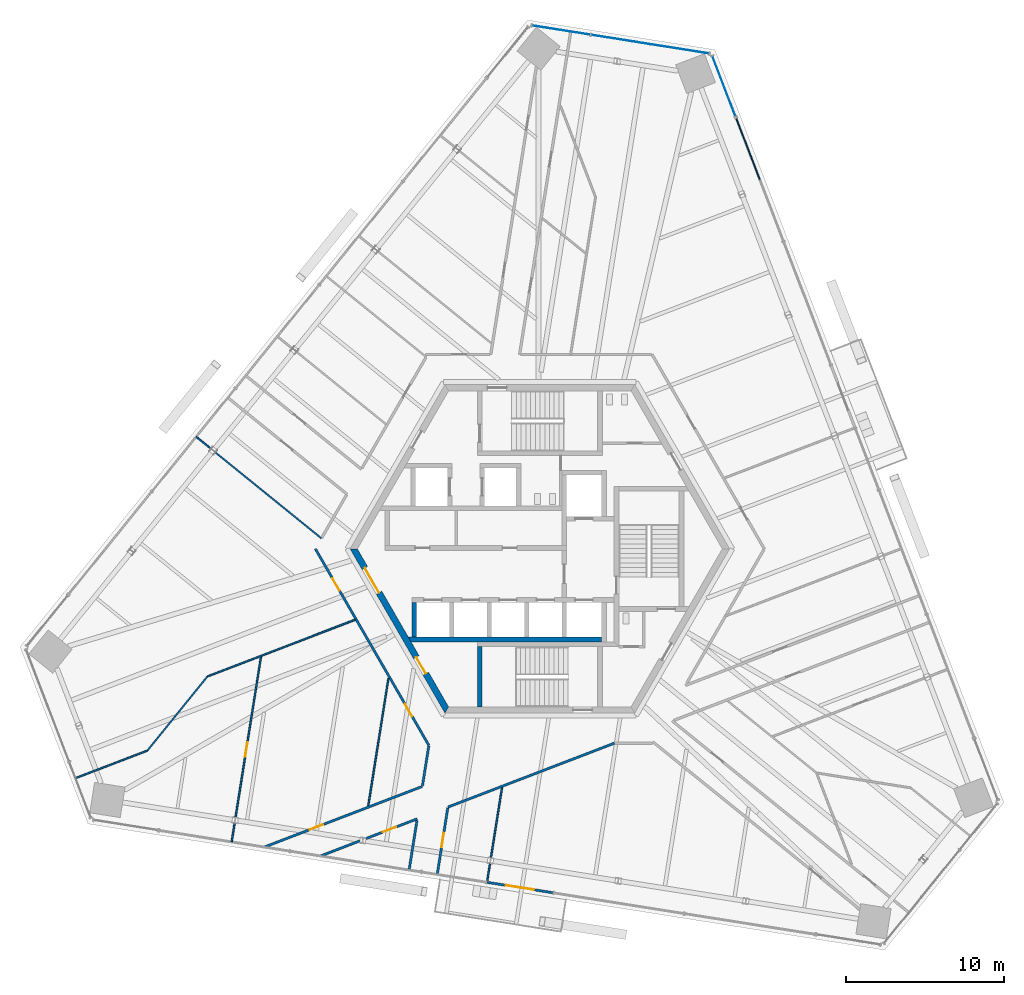
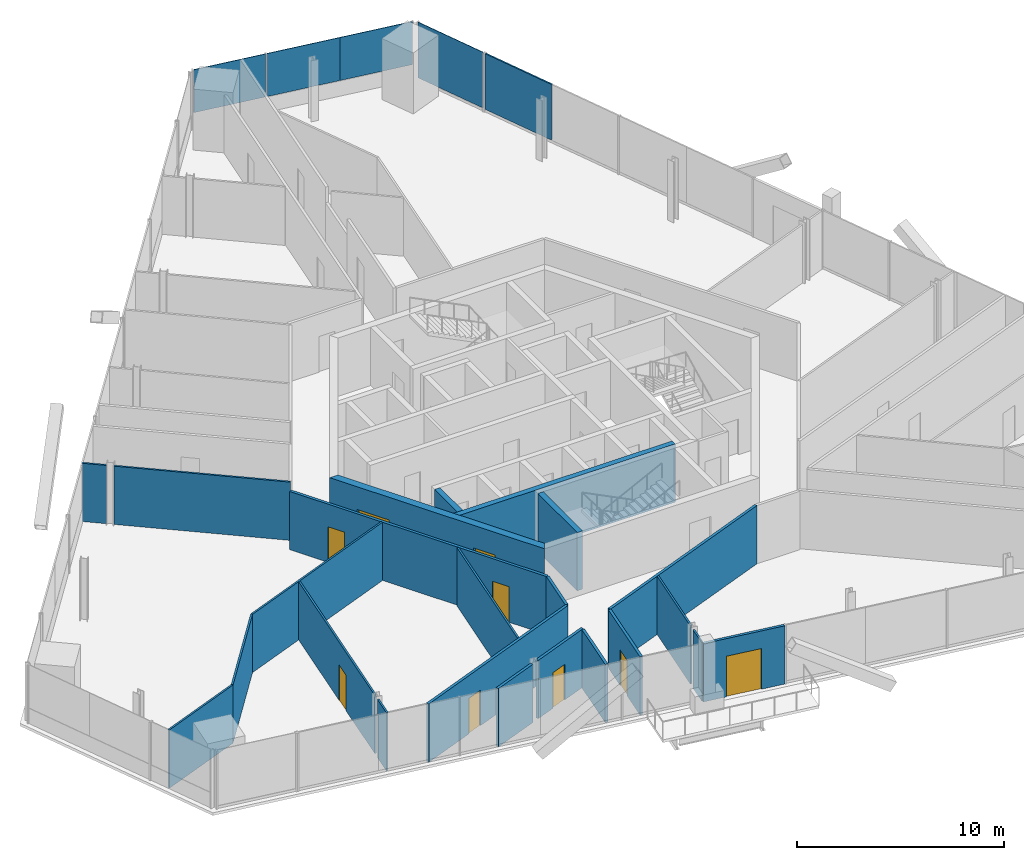
# One storey, part 11 of 19: 23 walls, 9 doors, 5 plates, 9 openings, 3 elements without a shape of their own.
"""IFC4 building model written with IfcOpenShell, lengths in metres."""

from ifc_helpers import new_model, si_unit, direction, frame, frame_2d, origin, origin_2d, place, context, subcontext, project, spatial, polyline, rectangle, outline, extrude, source, transform, mapped, material, layer, layer_set, type_object, element, fill, aggregate, save


model = new_model("IFC4")

# Units and contexts
model_context = context("Model", 3, precision=1e-05, world=origin(), true_north=direction((0.0, 1.0)))
body_context = subcontext(model_context, "Body", "Model", "MODEL_VIEW")
ifc_project = project(units=[si_unit("LENGTHUNIT", "METRE"), si_unit("AREAUNIT", "SQUARE_METRE"), si_unit("VOLUMEUNIT", "CUBIC_METRE"), si_unit("PLANEANGLEUNIT", "RADIAN"), si_unit("MASSUNIT", "GRAM", prefix="KILO")], contexts=[model_context])

# Site, building, storey
site_placement = place(None, origin())
site = spatial("IfcSite", under=ifc_project, at=site_placement, CompositionType="ELEMENT")
building_placement = place(site_placement, origin())
building = spatial("IfcBuilding", under=site, at=building_placement, Name="Triune Harvest Tower", CompositionType="ELEMENT")
storey_placement = place(building_placement, frame((0.0, 0.0, 149.699951171875)))
storey = spatial("IfcBuildingStorey", under=building, at=storey_placement, Name="L38", CompositionType="ELEMENT", Elevation=149.699951171875)

# Curtain wall, plates
ifc_material_1 = material(Name="Aluminium bronze anodised", Category="aluminium")
curtain_wall_type_1 = type_object("IfcCurtainWallType", Name="CW-1 Tower stick curtain wall", PredefinedType="NOTDEFINED", material=ifc_material_1)
curtain_wall_1_placement = place(storey_placement, origin())
curtain_wall_1 = element("IfcCurtainWall", 1, at=curtain_wall_1_placement, inside=storey, type_object=curtain_wall_type_1, Name="CW-1 B4-F2 L38 run 1")
ifc_material_2 = material(Name="Glass", Category="glass")
ifc_layer_1 = layer(ifc_material_2, 0.031982421875)
ifc_layer_set_1 = layer_set([ifc_layer_1], Name="Glass")
plate_type_1 = type_object("IfcPlateType", Name="GL-1 panel 32", PredefinedType="CURTAIN_PANEL", material=ifc_layer_set_1)
shared_shape_1 = source(origin(), body_context, "Body", "SweptSolid", [
    extrude(rectangle(XDim=3.74951171875, YDim=0.031982421875, at=origin_2d()), origin(), (0.0, 0.0, 1.0), 2.5400390625),
])
plate_1_placement = place(storey_placement, frame((8.841552734375, 31.614990234375, 0.900146484375), z_axis=(0.0, 0.0, 1.0), x_axis=(-0.987688615663, 0.156432728322, 0.0)))
plate_1 = element("IfcPlate", 2, at=plate_1_placement, type_object=plate_type_1, Name="CW-1 panel B4-F2 1.1", PredefinedType="CURTAIN_PANEL", context=body_context, shape_type="MappedRepresentation", body=[
    mapped(shared_shape_1, transform((0.0, 0.0, 0.0), scale=1.0)),
])
shared_shape_2 = source(origin(), body_context, "Body", "SweptSolid", [
    extrude(rectangle(XDim=3.787109375, YDim=0.031982421875, at=origin_2d()), origin(), (0.0, 0.0, 1.0), 2.5400390625),
])
plate_2_placement = place(storey_placement, frame((5.11962890625, 32.20458984375, 0.900146484375), z_axis=(0.0, 0.0, 1.0), x_axis=(-0.987688615663, 0.156432728322, 0.0)))
plate_2 = element("IfcPlate", 3, at=plate_2_placement, type_object=plate_type_1, Name="CW-1 panel B4-F2 1.2", PredefinedType="CURTAIN_PANEL", context=body_context, shape_type="MappedRepresentation", body=[
    mapped(shared_shape_2, transform((0.0, 0.0, 0.0), scale=1.0)),
])
shared_shape_3 = source(origin(), body_context, "Body", "SweptSolid", [
    extrude(rectangle(XDim=3.7119140625, YDim=0.031982421875, at=origin_2d()), origin(), (0.0, 0.0, 1.0), 2.5400390625),
])
plate_3_placement = place(storey_placement, frame((1.34228515625, 32.802734375, 0.900146484375), z_axis=(0.0, 0.0, 1.0), x_axis=(-0.987688615663, 0.156432728322, 0.0)))
plate_3 = element("IfcPlate", 4, at=plate_3_placement, type_object=plate_type_1, Name="CW-1 panel B4-F2 1.3", PredefinedType="CURTAIN_PANEL", context=body_context, shape_type="MappedRepresentation", body=[
    mapped(shared_shape_3, transform((0.0, 0.0, 0.0), scale=1.0)),
])
aggregate(curtain_wall_1, [plate_1, plate_2, plate_3])

# Curtain wall, plate
ifc_material_3 = material(Name="Aluminium bronze anodised", Category="aluminium")
curtain_wall_type_2 = type_object("IfcCurtainWallType", Name="CW-10 Balcony window wall with insulated spandrel infill", PredefinedType="NOTDEFINED", material=ifc_material_3)
curtain_wall_2_placement = place(storey_placement, origin())
curtain_wall_2 = element("IfcCurtainWall", 5, at=curtain_wall_2_placement, inside=storey, type_object=curtain_wall_type_2, Name="CW-10 B4-F1 L38 run 2")
ifc_material_4 = material(Name="Insulated spandrel panel, bronze aluminium pan", Category="aluminium")
ifc_layer_2 = layer(ifc_material_4, 0.080078125)
ifc_layer_set_2 = layer_set([ifc_layer_2], Name="Insulated spandrel panel, bronze aluminium pan")
plate_type_2 = type_object("IfcPlateType", Name="SP-1 insulated spandrel panel 80", PredefinedType="CURTAIN_PANEL", material=ifc_layer_set_2)
shared_shape_4 = source(origin(), body_context, "Body", "SweptSolid", [
    extrude(rectangle(XDim=4.128173828125, YDim=0.080078125, at=origin_2d()), origin(), (0.0, 0.0, 1.0), 3.2900390625),
])
plate_4_placement = place(storey_placement, frame((13.161376953125, 25.291015625, 0.150146484375), z_axis=(0.0, 0.0, 1.0), x_axis=(-0.358371012467, 0.933579250746, 0.0)))
plate_4 = element("IfcPlate", 6, at=plate_4_placement, type_object=plate_type_2, Name="CW-10 panel B4-F1 2.4", PredefinedType="CURTAIN_PANEL", context=body_context, shape_type="MappedRepresentation", body=[
    mapped(shared_shape_4, transform((0.0, 0.0, 0.0), scale=1.0)),
])
aggregate(curtain_wall_2, [plate_4])

ifc_material_5 = material(Name="Aluminium bronze anodised", Category="aluminium")
curtain_wall_type_3 = type_object("IfcCurtainWallType", Name="CW-6 Balcony window wall", PredefinedType="NOTDEFINED", material=ifc_material_5)
curtain_wall_3_placement = place(storey_placement, origin())
curtain_wall_3 = element("IfcCurtainWall", 7, at=curtain_wall_3_placement, inside=storey, type_object=curtain_wall_type_3, Name="CW-6 B4-F1 L38 run 1002")
ifc_material_6 = material(Name="Glass", Category="glass")
ifc_layer_3 = layer(ifc_material_6, 0.030029296875)
ifc_layer_set_3 = layer_set([ifc_layer_3], Name="Glass")
plate_type_3 = type_object("IfcPlateType", Name="GL-6 panel 30", PredefinedType="CURTAIN_PANEL", material=ifc_layer_set_3)
shared_shape_5 = source(origin(), body_context, "Body", "SweptSolid", [
    extrude(rectangle(XDim=4.05322265625, YDim=0.030029296875, at=origin_2d()), origin(), (0.0, 0.0, 1.0), 3.2900390625),
])
plate_5_placement = place(storey_placement, frame((11.6416015625, 29.25, 0.150146484375), z_axis=(0.0, 0.0, 1.0), x_axis=(-0.358362311569, 0.933582590694, 0.0)))
plate_5 = element("IfcPlate", 8, at=plate_5_placement, type_object=plate_type_3, Name="CW-6 panel B4-F1 1002.1", PredefinedType="CURTAIN_PANEL", context=body_context, shape_type="MappedRepresentation", body=[
    mapped(shared_shape_5, transform((0.0, 0.0, 0.0), scale=1.0)),
])
aggregate(curtain_wall_3, [plate_5])

# Walls
ifc_material_7 = material(Name="Gypsum board on steel studs", Category="steel")
ifc_layer_4 = layer(ifc_material_7, 0.10009765625)
ifc_layer_set_4 = layer_set([ifc_layer_4], Name="Gypsum board on steel studs")
wall_type_1 = type_object("IfcWallType", Name="Partition 100 mm", PredefinedType="PARTITIONING", material=ifc_layer_set_4)
wall_1_placement = place(storey_placement, frame((-29.362548828125, -14.500732421875, 0.0), z_axis=(0.0, 0.0, 1.0), x_axis=(0.933592165227, 0.358337367612, 0.0)))
element("IfcWall", 9, at=wall_1_placement, inside=storey, type_object=wall_type_1, Name="Partition L38 035", PredefinedType="PARTITIONING", context=body_context, shape_type="SweptSolid", body=[
    extrude(rectangle(XDim=4.8701171875, YDim=0.10009765625, at=frame_2d((2.43505859375, 0.0))), origin(), (0.0, 0.0, 1.0), 3.43994140625),
])
wall_2_placement = place(storey_placement, frame((-24.81591796875, -12.755615234375, 0.0), z_axis=(0.0, 0.0, 1.0), x_axis=(0.629303216605, 0.777159868734, 0.0)))
element("IfcWall", 10, at=wall_2_placement, inside=storey, type_object=wall_type_1, Name="Partition L38 039", PredefinedType="PARTITIONING", context=body_context, shape_type="SweptSolid", body=[
    extrude(rectangle(XDim=6.020263671875, YDim=0.10009765625, at=frame_2d((3.01025390625, 0.0))), origin(), (0.0, 0.0, 1.0), 3.43994140625),
])

# Wall, openings, doors
ifc_material_8 = material(Name="Concrete 70 MPa", Category="concrete")
ifc_layer_5 = layer(ifc_material_8, 0.39990234375)
ifc_layer_set_5 = layer_set([ifc_layer_5], Name="Concrete 70 MPa")
wall_type_2 = type_object("IfcWallType", Name="Core wall 400", PredefinedType="SHEAR", material=ifc_layer_set_5)
shared_shape_6 = source(origin(), body_context, "Body", "SweptSolid", [
    extrude(outline(polyline([(-0.115478515625, -0.199951171875), (11.884521484375, -0.199951171875), (11.653564453125, 0.199951171875), (0.115478515625, 0.199951171875), (-0.115478515625, -0.199951171875)])), origin(), (0.0, 0.0, 1.0), 3.43994140625),
])
wall_3_placement = place(storey_placement, frame((-11.76904296875, 0.0, 0.0), z_axis=(0.0, 0.0, 1.0), x_axis=(0.499996592174, -0.866027371285, 0.0)))
wall_3 = element("IfcWall", 11, at=wall_3_placement, inside=storey, type_object=wall_type_2, Name="Hexagon 3 wall", PredefinedType="SHEAR", context=body_context, shape_type="MappedRepresentation", body=[
    mapped(shared_shape_6, transform((0.0, 0.0, 0.0), scale=1.0)),
])
opening_1_placement = place(wall_3_placement, frame((1.404541015625, 0.0, 0.0)))
opening_1 = element("IfcOpeningElement", 12, at=opening_1_placement, cuts=wall_3, Name="Opening CD-LS", PredefinedType="OPENING", context=body_context, shape_type="SweptSolid", body=[
    extrude(rectangle(XDim=1.800048828125, YDim=2.10009765625, at=frame_2d((0.89990234375, 1.050048828125))), frame((0.0, 0.2099609375, 0.0), z_axis=(0.0, -1.0, 0.0), x_axis=(1.0, 0.0, 0.0)), (0.0, 0.0, 1.0), 0.419921875),
])
opening_2_placement = place(wall_3_placement, frame((7.91455078125, 0.0, 0.0)))
opening_2 = element("IfcOpeningElement", 13, at=opening_2_placement, cuts=wall_3, Name="Opening CD-SWP", PredefinedType="OPENING", context=body_context, shape_type="SweptSolid", body=[
    extrude(rectangle(XDim=1.199951171875, YDim=2.10009765625, at=frame_2d((0.60009765625, 1.050048828125))), frame((0.0, 0.2099609375, 0.0), z_axis=(0.0, -1.0, 0.0), x_axis=(1.0, 0.0, 0.0)), (0.0, 0.0, 1.0), 0.419921875),
])
ifc_material_9 = material(Name="Steel S235", Category="steel")
door_type_1 = type_object("IfcDoorType", Name="Lobby door 1800 FD120", OperationType="DOUBLE_DOOR_DOUBLE_SWING", PredefinedType="DOOR", material=ifc_material_9)
door_1_placement = place(opening_1_placement, frame((1.800048828125, 0.0, 0.0), z_axis=(0.0, 0.0, 1.0), x_axis=(-1.0, 0.0, 0.0)))
door_1 = element("IfcDoor", 14, at=door_1_placement, inside=storey, type_object=door_type_1, Name="Door CD-LS", OperationType="DOUBLE_DOOR_DOUBLE_SWING", OverallHeight=2.10009765625, OverallWidth=1.800048828125, PredefinedType="DOOR", context=body_context, shape_type="SweptSolid", body=[
    extrude(rectangle(XDim=1.800048828125, YDim=2.10009765625, at=frame_2d((0.89990234375, 1.050048828125))), frame((0.0, 0.02490234375, 0.0), z_axis=(0.0, -1.0, 0.0), x_axis=(1.0, 0.0, 0.0)), (0.0, 0.0, 1.0), 0.050048828125),
])
fill(opening_1, door_1)
ifc_material_10 = material(Name="Steel S235", Category="steel")
door_type_2 = type_object("IfcDoorType", Name="Service door 1200 FD120", OperationType="SINGLE_SWING_LEFT", PredefinedType="DOOR", material=ifc_material_10)
door_2_placement = place(opening_2_placement, frame((1.199951171875, 0.0, 0.0), z_axis=(0.0, 0.0, 1.0), x_axis=(-1.0, 0.0, 0.0)))
door_2 = element("IfcDoor", 15, at=door_2_placement, inside=storey, type_object=door_type_2, Name="Door CD-SWP", OperationType="SINGLE_SWING_RIGHT", OverallHeight=2.10009765625, OverallWidth=1.199951171875, PredefinedType="DOOR", context=body_context, shape_type="SweptSolid", body=[
    extrude(rectangle(XDim=1.199951171875, YDim=2.10009765625, at=frame_2d((0.60009765625, 1.050048828125))), frame((0.0, 0.02490234375, 0.0), z_axis=(0.0, -1.0, 0.0), x_axis=(1.0, 0.0, 0.0)), (0.0, 0.0, 1.0), 0.050048828125),
])
fill(opening_2, door_2)

# Walls
ifc_material_11 = material(Name="Concrete 70 MPa", Category="concrete")
ifc_layer_6 = layer(ifc_material_11, 0.300048828125)
ifc_layer_set_6 = layer_set([ifc_layer_6], Name="Concrete 70 MPa")
wall_type_3 = type_object("IfcWallType", Name="Core wall 300", PredefinedType="SHEAR", material=ifc_layer_set_6)
shared_shape_7 = source(origin(), body_context, "Body", "SweptSolid", [
    extrude(outline(polyline([(12.0, -0.14990234375), (-0.039794921875, -0.14990234375), (-0.212890625, 0.14990234375), (12.0, 0.14990234375), (12.0, -0.14990234375)])), origin(), (0.0, 0.0, 1.0), 3.43994140625),
])
wall_4_placement = place(storey_placement, frame((-8.10009765625, -5.739990234375, 0.0), z_axis=(0.0, 0.0, 1.0), x_axis=(1.0, 0.0, 0.0)))
element("IfcWall", 16, at=wall_4_placement, inside=storey, type_object=wall_type_3, Name="South back wall", PredefinedType="SHEAR", context=body_context, shape_type="MappedRepresentation", body=[
    mapped(shared_shape_7, transform((0.0, 0.0, 0.0), scale=1.0)),
])
shared_shape_8 = source(origin(), body_context, "Body", "SweptSolid", [
    extrude(rectangle(XDim=2.2001953125, YDim=0.300048828125, at=frame_2d((1.10009765625, 0.0))), origin(), (0.0, 0.0, 1.0), 3.43994140625),
])
wall_5_placement = place(storey_placement, frame((-7.949951171875, -5.590087890625, 0.0), z_axis=(0.0, 0.0, 1.0), x_axis=(0.0, 1.0, 0.0)))
element("IfcWall", 17, at=wall_5_placement, inside=storey, type_object=wall_type_3, Name="South end west wall", PredefinedType="SHEAR", context=body_context, shape_type="MappedRepresentation", body=[
    mapped(shared_shape_8, transform((0.0, 0.0, 0.0), scale=1.0)),
])
shared_shape_9 = source(origin(), body_context, "Body", "SweptSolid", [
    extrude(outline(polyline([(3.800048828125, -0.14990234375), (-0.00439453125, -0.14990234375), (-0.00439453125, 0.14990234375), (3.800048828125, 0.14990234375), (3.800048828125, -0.14990234375)])), origin(), (0.0, 0.0, 1.0), 3.43994140625),
])
wall_6_placement = place(storey_placement, frame((-3.800048828125, -9.989990234375, 0.0), z_axis=(0.0, 0.0, 1.0), x_axis=(0.0, 1.0, 0.0)))
element("IfcWall", 18, at=wall_6_placement, inside=storey, type_object=wall_type_3, Name="Stair s west wall", PredefinedType="SHEAR", context=body_context, shape_type="MappedRepresentation", body=[
    mapped(shared_shape_9, transform((0.0, 0.0, 0.0), scale=1.0)),
])

# Wall, opening, door
ifc_material_12 = material(Name="Aluminium bronze anodised", Category="aluminium")
ifc_layer_7 = layer(ifc_material_12, 0.14990234375)
ifc_layer_set_7 = layer_set([ifc_layer_7], Name="Aluminium bronze anodised")
wall_type_4 = type_object("IfcWallType", Name="WW-2 balcony window wall", PredefinedType="ELEMENTEDWALL", material=ifc_layer_set_7)
shared_shape_10 = source(origin(), body_context, "Body", "SweptSolid", [
    extrude(rectangle(XDim=4.22119140625, YDim=0.14990234375, at=frame_2d((2.110595703125, 0.0))), origin(), (0.0, 0.0, 1.0), 3.43994140625),
])
wall_7_placement = place(storey_placement, frame((0.8291015625, -21.748046875, 0.0), z_axis=(0.0, 0.0, 1.0), x_axis=(-0.987694873038, 0.156393215242, 0.0)))
wall_7 = element("IfcWall", 19, at=wall_7_placement, inside=storey, type_object=wall_type_4, Name="WW-2 B4-F5 L38.7", PredefinedType="ELEMENTEDWALL", context=body_context, shape_type="MappedRepresentation", body=[
    mapped(shared_shape_10, transform((0.0, 0.0, 0.0), scale=1.0)),
])
opening_3_placement = place(wall_7_placement, frame((1.21044921875, 0.0, 0.0)))
opening_3 = element("IfcOpeningElement", 20, at=opening_3_placement, cuts=wall_7, Name="Opening L38-E02", PredefinedType="OPENING", context=body_context, shape_type="SweptSolid", body=[
    extrude(rectangle(XDim=1.800048828125, YDim=2.39990234375, at=frame_2d((0.89990234375, 1.199951171875))), frame((0.0, 0.0849609375, 0.0), z_axis=(0.0, -1.0, 0.0), x_axis=(1.0, 0.0, 0.0)), (0.0, 0.0, 1.0), 0.169921875),
])
ifc_material_13 = material(Name="Glass", Category="glass")
door_type_3 = type_object("IfcDoorType", Name="DB-1 balcony door 1800 x 2400", OperationType="DOUBLE_DOOR_SINGLE_SWING", PredefinedType="DOOR", material=ifc_material_13)
door_3_placement = place(opening_3_placement, origin())
door_3 = element("IfcDoor", 21, at=door_3_placement, inside=storey, type_object=door_type_3, Name="Door L38-E02", OperationType="DOUBLE_DOOR_SINGLE_SWING", OverallHeight=2.39990234375, OverallWidth=1.800048828125, PredefinedType="DOOR", context=body_context, shape_type="SweptSolid", body=[
    extrude(rectangle(XDim=1.800048828125, YDim=2.39990234375, at=frame_2d((0.89990234375, 1.199951171875))), frame((0.0, 0.02490234375, 0.0), z_axis=(0.0, -1.0, 0.0), x_axis=(1.0, 0.0, 0.0)), (0.0, 0.0, 1.0), 0.050048828125),
])
fill(opening_3, door_3)

# Walls
shared_shape_11 = source(origin(), body_context, "Body", "SweptSolid", [
    extrude(rectangle(XDim=1.212158203125, YDim=0.10009765625, at=frame_2d((0.60595703125, 0.0))), origin(), (0.0, 0.0, 1.0), 3.43994140625),
])
for number, where, z_axis, x_axis, name in (
    (22, (-21.7373046875, 7.083251953125, 0.0), (0.0, 0.0, 1.0), (0.777061908225, -0.629424173977, 0.0), "Partition L38 005"),
    (23, (-3.340087890625, -21.087890625, 0.0), (0.0, 0.0, 1.0), (0.156490008952, 0.987679541703, 0.0), "Partition L38 043"),
):
    element("IfcWall", number, at=place(storey_placement, frame(where, z_axis=z_axis, x_axis=x_axis)), inside=storey, type_object=wall_type_1, Name=name, PredefinedType="PARTITIONING", context=body_context, shape_type="MappedRepresentation", body=[
        mapped(shared_shape_11, transform((0.0, 0.0, 0.0), scale=1.0)),
    ])
shared_shape_12 = source(origin(), body_context, "Body", "SweptSolid", [
    extrude(rectangle(XDim=8.63427734375, YDim=0.10009765625, at=frame_2d((4.317138671875, 0.0))), origin(), (0.0, 0.0, 1.0), 3.43994140625),
])
wall_8_placement = place(storey_placement, frame((-20.520751953125, 6.097900390625, 0.0), z_axis=(0.0, 0.0, 1.0), x_axis=(0.777158603042, -0.629304779672, 0.0)))
element("IfcWall", 24, at=wall_8_placement, inside=storey, type_object=wall_type_1, Name="Partition L38 006", PredefinedType="PARTITIONING", context=body_context, shape_type="MappedRepresentation", body=[
    mapped(shared_shape_12, transform((0.0, 0.0, 0.0), scale=1.0)),
])
shared_shape_13 = source(origin(), body_context, "Body", "SweptSolid", [
    extrude(rectangle(XDim=1.2119140625, YDim=0.10009765625, at=frame_2d((0.60595703125, 0.0))), origin(), (0.0, 0.0, 1.0), 3.43994140625),
])
wall_9_placement = place(storey_placement, frame((-19.48876953125, -18.530029296875, 0.0), z_axis=(0.0, 0.0, 1.0), x_axis=(0.15652114429, 0.987674608052, 0.0)))
element("IfcWall", 25, at=wall_9_placement, inside=storey, type_object=wall_type_1, Name="Partition L38 052", PredefinedType="PARTITIONING", context=body_context, shape_type="MappedRepresentation", body=[
    mapped(shared_shape_13, transform((0.0, 0.0, 0.0), scale=1.0)),
])
shared_shape_14 = source(origin(), body_context, "Body", "SweptSolid", [
    extrude(rectangle(XDim=4.496337890625, YDim=0.10009765625, at=frame_2d((2.248046875, 0.0))), origin(), (0.0, 0.0, 1.0), 3.43994140625),
])
wall_10_placement = place(storey_placement, frame((-3.09521484375, -19.54150390625, 0.0), z_axis=(0.0, 0.0, 1.0), x_axis=(0.15648674704, 0.987680058521, 0.0)))
element("IfcWall", 26, at=wall_10_placement, inside=storey, type_object=wall_type_1, Name="Partition L38 044", PredefinedType="PARTITIONING", context=body_context, shape_type="MappedRepresentation", body=[
    mapped(shared_shape_14, transform((0.0, 0.0, 0.0), scale=1.0)),
])

# Wall, opening, door
shared_shape_15 = source(origin(), body_context, "Body", "SweptSolid", [
    extrude(rectangle(XDim=10.345458984375, YDim=0.10009765625, at=frame_2d((5.1728515625, 0.0))), origin(), (0.0, 0.0, 1.0), 3.43994140625),
])
wall_11_placement = place(storey_placement, frame((-19.243896484375, -16.98388671875, 0.0), z_axis=(0.0, 0.0, 1.0), x_axis=(0.156437596398, 0.987687844632, 0.0)))
wall_11 = element("IfcWall", 27, at=wall_11_placement, inside=storey, type_object=wall_type_1, Name="Partition L38 053", PredefinedType="PARTITIONING", context=body_context, shape_type="MappedRepresentation", body=[
    mapped(shared_shape_15, transform((0.0, 0.0, 0.0), scale=1.0)),
])
opening_4_placement = place(wall_11_placement, frame((3.8955078125, 0.0, 0.0)))
opening_4 = element("IfcOpeningElement", 28, at=opening_4_placement, cuts=wall_11, Name="Opening L38-015", PredefinedType="OPENING", context=body_context, shape_type="SweptSolid", body=[
    extrude(rectangle(XDim=0.89990234375, YDim=2.10009765625, at=frame_2d((0.449951171875, 1.050048828125))), frame((0.0, 0.06005859375, 0.0), z_axis=(0.0, -1.0, 0.0), x_axis=(1.0, 0.0, 0.0)), (0.0, 0.0, 1.0), 0.1201171875),
])
ifc_material_14 = material(Name="Timber and steel door set", Category="steel")
door_type_4 = type_object("IfcDoorType", Name="Single leaf door left hand 900 x 2100", OperationType="SINGLE_SWING_LEFT", PredefinedType="DOOR", material=ifc_material_14)
door_4_placement = place(opening_4_placement, origin())
door_4 = element("IfcDoor", 29, at=door_4_placement, inside=storey, type_object=door_type_4, Name="Door L38-015 Pantry 38.15", OperationType="SINGLE_SWING_LEFT", OverallHeight=2.10009765625, OverallWidth=0.89990234375, PredefinedType="DOOR", context=body_context, shape_type="SweptSolid", body=[
    extrude(rectangle(XDim=0.89990234375, YDim=2.10009765625, at=frame_2d((0.449951171875, 1.050048828125))), frame((0.0, 0.02490234375, 0.0), z_axis=(0.0, -1.0, 0.0), x_axis=(1.0, 0.0, 0.0)), (0.0, 0.0, 1.0), 0.050048828125),
])
fill(opening_4, door_4)

# Wall
ifc_material_15 = material(Name="Gypsum board on steel studs", Category="steel")
ifc_layer_8 = layer(ifc_material_15, 0.14990234375)
ifc_layer_set_8 = layer_set([ifc_layer_8], Name="Gypsum board on steel studs")
wall_type_5 = type_object("IfcWallType", Name="Fire Partition 150 mm", PredefinedType="PARTITIONING", material=ifc_layer_set_8)
shared_shape_16 = source(origin(), body_context, "Body", "SweptSolid", [
    extrude(rectangle(XDim=11.268798828125, YDim=0.14990234375, at=frame_2d((5.63427734375, 0.0))), origin(), (0.0, 0.0, 1.0), 3.43994140625),
])
wall_12_placement = place(storey_placement, frame((-5.81396484375, -16.33056640625, 0.0), z_axis=(0.0, 0.0, 1.0), x_axis=(0.933581043585, 0.358366341973, 0.0)))
element("IfcWall", 30, at=wall_12_placement, inside=storey, type_object=wall_type_5, Name="Partition L38 029", PredefinedType="PARTITIONING", context=body_context, shape_type="MappedRepresentation", body=[
    mapped(shared_shape_16, transform((0.0, 0.0, 0.0), scale=1.0)),
])

# Wall, opening, door
shared_shape_17 = source(origin(), body_context, "Body", "SweptSolid", [
    extrude(rectangle(XDim=10.701904296875, YDim=0.14990234375, at=frame_2d((5.35107421875, 0.0))), origin(), (0.0, 0.0, 1.0), 3.43994140625),
])
wall_13_placement = place(storey_placement, frame((-17.419921875, -18.85791015625, 0.0), z_axis=(0.0, 0.0, 1.0), x_axis=(0.933579418289, 0.358370576006, 0.0)))
wall_13 = element("IfcWall", 31, at=wall_13_placement, inside=storey, type_object=wall_type_5, Name="Partition L38 031", PredefinedType="PARTITIONING", context=body_context, shape_type="MappedRepresentation", body=[
    mapped(shared_shape_17, transform((0.0, 0.0, 0.0), scale=1.0)),
])
opening_5_placement = place(wall_13_placement, frame((3.07080078125, 0.0, 0.0)))
opening_5 = element("IfcOpeningElement", 32, at=opening_5_placement, cuts=wall_13, Name="Opening L38-016", PredefinedType="OPENING", context=body_context, shape_type="SweptSolid", body=[
    extrude(rectangle(XDim=0.89990234375, YDim=2.10009765625, at=frame_2d((0.449951171875, 1.050048828125))), frame((0.0, 0.0849609375, 0.0), z_axis=(0.0, -1.0, 0.0), x_axis=(1.0, 0.0, 0.0)), (0.0, 0.0, 1.0), 0.169921875),
])
ifc_material_16 = material(Name="Timber and steel door set", Category="steel")
door_type_5 = type_object("IfcDoorType", Name="Single leaf door FD30 left hand 900 x 2100", OperationType="SINGLE_SWING_LEFT", PredefinedType="DOOR", material=ifc_material_16)
door_5_placement = place(opening_5_placement, origin())
door_5 = element("IfcDoor", 33, at=door_5_placement, inside=storey, type_object=door_type_5, Name="Door L38-016 Open Office 38.16", OperationType="SINGLE_SWING_LEFT", OverallHeight=2.10009765625, OverallWidth=0.89990234375, PredefinedType="DOOR", context=body_context, shape_type="SweptSolid", body=[
    extrude(rectangle(XDim=0.89990234375, YDim=2.10009765625, at=frame_2d((0.449951171875, 1.050048828125))), frame((0.0, 0.02490234375, 0.0), z_axis=(0.0, -1.0, 0.0), x_axis=(1.0, 0.0, 0.0)), (0.0, 0.0, 1.0), 0.050048828125),
])
fill(opening_5, door_5)

# Wall
shared_shape_18 = source(origin(), body_context, "Body", "SweptSolid", [
    extrude(rectangle(XDim=10.010986328125, YDim=0.10009765625, at=frame_2d((5.00537109375, 0.0))), origin(), (0.0, 0.0, 1.0), 3.43994140625),
])
wall_14_placement = place(storey_placement, frame((-21.02099609375, -8.069091796875, 0.0), z_axis=(0.0, 0.0, 1.0), x_axis=(0.933589262428, 0.35834493031, 0.0)))
element("IfcWall", 34, at=wall_14_placement, inside=storey, type_object=wall_type_1, Name="Partition L38 036", PredefinedType="PARTITIONING", context=body_context, shape_type="MappedRepresentation", body=[
    mapped(shared_shape_18, transform((0.0, 0.0, 0.0), scale=1.0)),
])

# Wall, opening, door
shared_shape_19 = source(origin(), body_context, "Body", "SweptSolid", [
    extrude(rectangle(XDim=4.261474609375, YDim=0.14990234375, at=frame_2d((2.130859375, 0.0))), origin(), (0.0, 0.0, 1.0), 3.43994140625),
])
wall_15_placement = place(storey_placement, frame((-6.48828125, -20.589111328125, 0.0), z_axis=(0.0, 0.0, 1.0), x_axis=(0.156403851818, 0.987693188767, 0.0)))
wall_15 = element("IfcWall", 35, at=wall_15_placement, inside=storey, type_object=wall_type_5, Name="Partition L38 046", PredefinedType="PARTITIONING", context=body_context, shape_type="MappedRepresentation", body=[
    mapped(shared_shape_19, transform((0.0, 0.0, 0.0), scale=1.0)),
])
opening_6_placement = place(wall_15_placement, frame((1.75, 0.0, 0.0)))
opening_6 = element("IfcOpeningElement", 36, at=opening_6_placement, cuts=wall_15, Name="Opening L38-019", PredefinedType="OPENING", context=body_context, shape_type="SweptSolid", body=[
    extrude(rectangle(XDim=0.89990234375, YDim=2.10009765625, at=frame_2d((0.449951171875, 1.050048828125))), frame((0.0, 0.0849609375, 0.0), z_axis=(0.0, -1.0, 0.0), x_axis=(1.0, 0.0, 0.0)), (0.0, 0.0, 1.0), 0.169921875),
])
door_6_placement = place(opening_6_placement, origin())
door_6 = element("IfcDoor", 37, at=door_6_placement, inside=storey, type_object=door_type_5, Name="Door L38-019 Meeting Room 38.19", OperationType="SINGLE_SWING_LEFT", OverallHeight=2.10009765625, OverallWidth=0.89990234375, PredefinedType="DOOR", context=body_context, shape_type="SweptSolid", body=[
    extrude(rectangle(XDim=0.89990234375, YDim=2.10009765625, at=frame_2d((0.449951171875, 1.050048828125))), frame((0.0, 0.02490234375, 0.0), z_axis=(0.0, -1.0, 0.0), x_axis=(1.0, 0.0, 0.0)), (0.0, 0.0, 1.0), 0.050048828125),
])
fill(opening_6, door_6)

# Walls
shared_shape_20 = source(origin(), body_context, "Body", "SweptSolid", [
    extrude(rectangle(XDim=2.54443359375, YDim=0.14990234375, at=frame_2d((1.272216796875, 0.0))), origin(), (0.0, 0.0, 1.0), 3.43994140625),
])
wall_16_placement = place(storey_placement, frame((-7.420654296875, -14.973388671875, 0.0), z_axis=(0.0, 0.0, 1.0), x_axis=(0.156396142181, 0.987694409578, 0.0)))
element("IfcWall", 38, at=wall_16_placement, inside=storey, type_object=wall_type_5, Name="Partition L38 049", PredefinedType="PARTITIONING", context=body_context, shape_type="MappedRepresentation", body=[
    mapped(shared_shape_20, transform((0.0, 0.0, 0.0), scale=1.0)),
])
shared_shape_21 = source(origin(), body_context, "Body", "SweptSolid", [
    extrude(rectangle(XDim=8.162841796875, YDim=0.10009765625, at=frame_2d((4.08154296875, 0.0))), origin(), (0.0, 0.0, 1.0), 3.43994140625),
])
wall_17_placement = place(storey_placement, frame((-10.85107421875, -16.252685546875, 0.0), z_axis=(0.0, 0.0, 1.0), x_axis=(0.156424854849, 0.987689862652, 0.0)))
element("IfcWall", 39, at=wall_17_placement, inside=storey, type_object=wall_type_1, Name="Partition L38 051", PredefinedType="PARTITIONING", context=body_context, shape_type="MappedRepresentation", body=[
    mapped(shared_shape_21, transform((0.0, 0.0, 0.0), scale=1.0)),
])

# Wall, openings, doors
shared_shape_22 = source(origin(), body_context, "Body", "SweptSolid", [
    extrude(rectangle(XDim=14.35205078125, YDim=0.14990234375, at=frame_2d((7.176025390625, 0.0))), origin(), (0.0, 0.0, 1.0), 3.43994140625),
])
wall_18_placement = place(storey_placement, frame((-14.19384765625, 0.0, 0.0), z_axis=(0.0, 0.0, 1.0), x_axis=(0.500001247692, -0.866024683428, 0.0)))
wall_18 = element("IfcWall", 40, at=wall_18_placement, inside=storey, type_object=wall_type_5, Name="Partition L38 003", PredefinedType="PARTITIONING", context=body_context, shape_type="MappedRepresentation", body=[
    mapped(shared_shape_22, transform((0.0, 0.0, 0.0), scale=1.0)),
])
opening_7_placement = place(wall_18_placement, frame((2.14990234375, 0.0, 0.0)))
opening_7 = element("IfcOpeningElement", 41, at=opening_7_placement, cuts=wall_18, Name="Opening L38-014", PredefinedType="OPENING", context=body_context, shape_type="SweptSolid", body=[
    extrude(rectangle(XDim=0.89990234375, YDim=2.10009765625, at=frame_2d((0.449951171875, 1.050048828125))), frame((0.0, 0.0849609375, 0.0), z_axis=(0.0, -1.0, 0.0), x_axis=(1.0, 0.0, 0.0)), (0.0, 0.0, 1.0), 0.169921875),
])
opening_8_placement = place(wall_18_placement, frame((11.336181640625, 0.0, 0.0)))
opening_8 = element("IfcOpeningElement", 42, at=opening_8_placement, cuts=wall_18, Name="Opening L38-018", PredefinedType="OPENING", context=body_context, shape_type="SweptSolid", body=[
    extrude(rectangle(XDim=0.89990234375, YDim=2.10009765625, at=frame_2d((0.449951171875, 1.050048828125))), frame((0.0, 0.0849609375, 0.0), z_axis=(0.0, -1.0, 0.0), x_axis=(1.0, 0.0, 0.0)), (0.0, 0.0, 1.0), 0.169921875),
])
door_7_placement = place(opening_8_placement, origin())
door_7 = element("IfcDoor", 43, at=door_7_placement, inside=storey, type_object=door_type_5, Name="Door L38-018 Office 38.18", OperationType="SINGLE_SWING_LEFT", OverallHeight=2.10009765625, OverallWidth=0.89990234375, PredefinedType="DOOR", context=body_context, shape_type="SweptSolid", body=[
    extrude(rectangle(XDim=0.89990234375, YDim=2.10009765625, at=frame_2d((0.449951171875, 1.050048828125))), frame((0.0, 0.02490234375, 0.0), z_axis=(0.0, -1.0, 0.0), x_axis=(1.0, 0.0, 0.0)), (0.0, 0.0, 1.0), 0.050048828125),
])
fill(opening_8, door_7)
ifc_material_17 = material(Name="Timber and steel door set", Category="steel")
door_type_6 = type_object("IfcDoorType", Name="Single leaf door FD30 right hand 900 x 2100", OperationType="SINGLE_SWING_RIGHT", PredefinedType="DOOR", material=ifc_material_17)
door_8_placement = place(opening_7_placement, origin())
door_8 = element("IfcDoor", 44, at=door_8_placement, inside=storey, type_object=door_type_6, Name="Door L38-014 Pantry 38.14", OperationType="SINGLE_SWING_RIGHT", OverallHeight=2.10009765625, OverallWidth=0.89990234375, PredefinedType="DOOR", context=body_context, shape_type="SweptSolid", body=[
    extrude(rectangle(XDim=0.89990234375, YDim=2.10009765625, at=frame_2d((0.449951171875, 1.050048828125))), frame((0.0, 0.02490234375, 0.0), z_axis=(0.0, -1.0, 0.0), x_axis=(1.0, 0.0, 0.0)), (0.0, 0.0, 1.0), 0.050048828125),
])
fill(opening_7, door_8)

# Wall
shared_shape_23 = source(origin(), body_context, "Body", "SweptSolid", [
    extrude(rectangle(XDim=2.66015625, YDim=0.14990234375, at=frame_2d((1.330078125, 0.0))), origin(), (0.0, 0.0, 1.0), 3.43994140625),
])
wall_19_placement = place(storey_placement, frame((-13.8642578125, -19.4208984375, 0.0), z_axis=(0.0, 0.0, 1.0), x_axis=(0.93357013855, 0.358394749414, 0.0)))
element("IfcWall", 45, at=wall_19_placement, inside=storey, type_object=wall_type_5, Name="Partition L38 027", PredefinedType="PARTITIONING", context=body_context, shape_type="MappedRepresentation", body=[
    mapped(shared_shape_23, transform((0.0, 0.0, 0.0), scale=1.0)),
])

# Wall, opening, door
shared_shape_24 = source(origin(), body_context, "Body", "SweptSolid", [
    extrude(rectangle(XDim=3.476318359375, YDim=0.14990234375, at=frame_2d((1.73828125, 0.0))), origin(), (0.0, 0.0, 1.0), 3.43994140625),
])
wall_20_placement = place(storey_placement, frame((-10.999755859375, -18.3212890625, 0.0), z_axis=(0.0, 0.0, 1.0), x_axis=(0.933573485821, 0.358386030102, 0.0)))
wall_20 = element("IfcWall", 46, at=wall_20_placement, inside=storey, type_object=wall_type_5, Name="Partition L38 028", PredefinedType="PARTITIONING", context=body_context, shape_type="MappedRepresentation", body=[
    mapped(shared_shape_24, transform((0.0, 0.0, 0.0), scale=1.0)),
])
opening_9_placement = place(wall_20_placement, frame((1.14599609375, 0.0, 0.0)))
opening_9 = element("IfcOpeningElement", 47, at=opening_9_placement, cuts=wall_20, Name="Opening L38-017", PredefinedType="OPENING", context=body_context, shape_type="SweptSolid", body=[
    extrude(rectangle(XDim=0.89990234375, YDim=2.10009765625, at=frame_2d((0.449951171875, 1.050048828125))), frame((0.0, 0.0849609375, 0.0), z_axis=(0.0, -1.0, 0.0), x_axis=(1.0, 0.0, 0.0)), (0.0, 0.0, 1.0), 0.169921875),
])
door_9_placement = place(opening_9_placement, origin())
door_9 = element("IfcDoor", 48, at=door_9_placement, inside=storey, type_object=door_type_6, Name="Door L38-017 Office 38.17", OperationType="SINGLE_SWING_RIGHT", OverallHeight=2.10009765625, OverallWidth=0.89990234375, PredefinedType="DOOR", context=body_context, shape_type="SweptSolid", body=[
    extrude(rectangle(XDim=0.89990234375, YDim=2.10009765625, at=frame_2d((0.449951171875, 1.050048828125))), frame((0.0, 0.02490234375, 0.0), z_axis=(0.0, -1.0, 0.0), x_axis=(1.0, 0.0, 0.0)), (0.0, 0.0, 1.0), 0.050048828125),
])
fill(opening_9, door_9)

# Wall
shared_shape_25 = source(origin(), body_context, "Body", "SweptSolid", [
    extrude(rectangle(XDim=3.162353515625, YDim=0.14990234375, at=frame_2d((1.5810546875, 0.0))), origin(), (0.0, 0.0, 1.0), 3.43994140625),
])
wall_21_placement = place(storey_placement, frame((-8.265625, -20.307861328125, 0.0), z_axis=(0.0, 0.0, 1.0), x_axis=(0.156406560225, 0.98769275988, 0.0)))
element("IfcWall", 49, at=wall_21_placement, inside=storey, type_object=wall_type_5, Name="Partition L38 048", PredefinedType="PARTITIONING", context=body_context, shape_type="MappedRepresentation", body=[
    mapped(shared_shape_25, transform((0.0, 0.0, 0.0), scale=1.0)),
])

save(model, "model.ifc")
